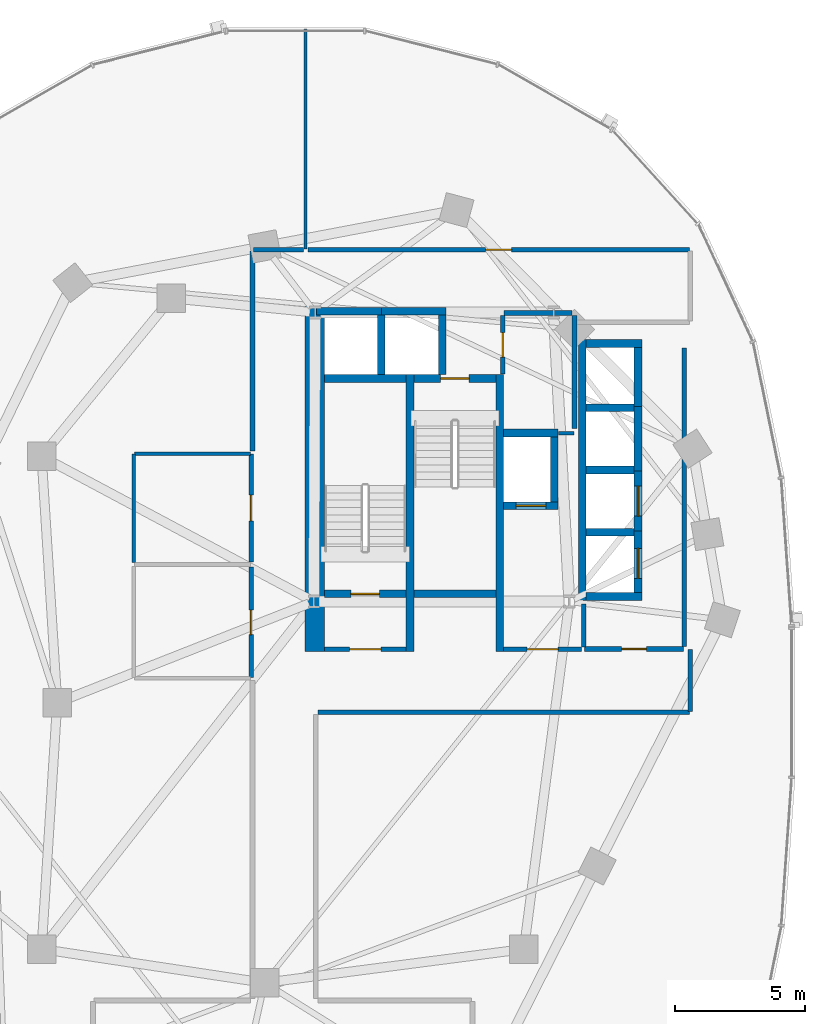
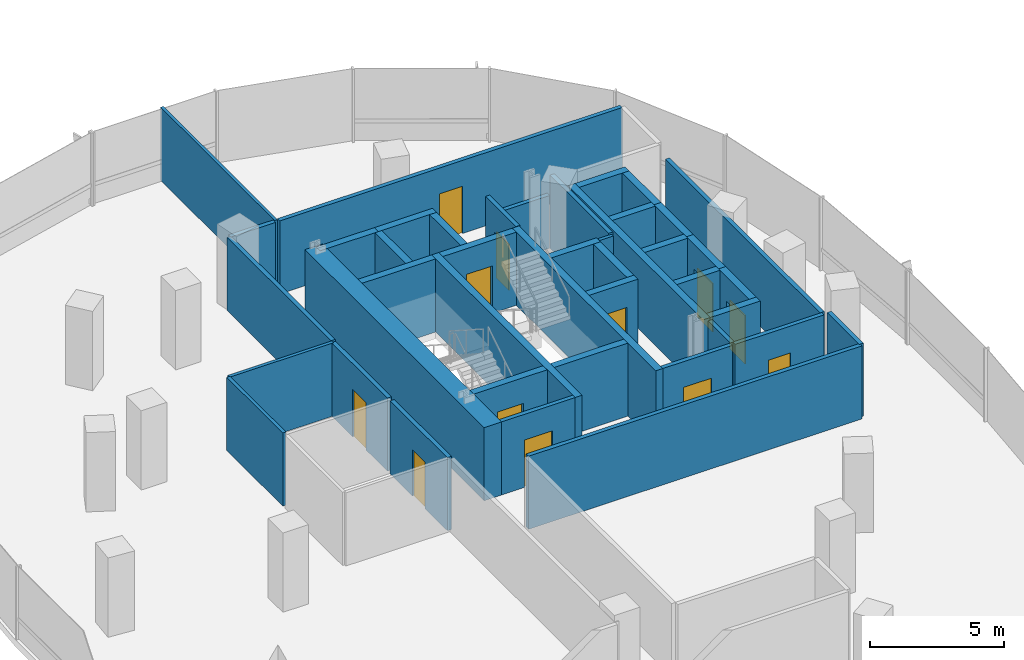
# One storey, part 11 of 20: 43 walls, 12 doors, 12 openings.
"""IFC4 building model written with IfcOpenShell, lengths in metres."""

from ifc_helpers import new_model, si_unit, direction, frame, frame_2d, origin, place, context, subcontext, project, spatial, rectangle, extrude, material, layer, layer_set, type_object, element, fill, save


model = new_model("IFC4")

# Units and contexts
model_context = context("Model", 3, precision=1e-05, world=origin(), true_north=direction((0.0, 1.0)))
body_context = subcontext(model_context, "Body", "Model", "MODEL_VIEW")
ifc_project = project(units=[si_unit("LENGTHUNIT", "METRE"), si_unit("AREAUNIT", "SQUARE_METRE"), si_unit("VOLUMEUNIT", "CUBIC_METRE"), si_unit("PLANEANGLEUNIT", "RADIAN"), si_unit("MASSUNIT", "GRAM", prefix="KILO"), si_unit("THERMODYNAMICTEMPERATUREUNIT", "KELVIN"), si_unit("POWERUNIT", "WATT")], contexts=[model_context])

# Site, building, storey
site_placement = place(None, origin())
site = spatial("IfcSite", under=ifc_project, at=site_placement, CompositionType="ELEMENT")
building_placement = place(site_placement, origin())
building = spatial("IfcBuilding", under=site, at=building_placement, Name="Cundina Bronze Exchange", CompositionType="ELEMENT")
storey_placement = place(building_placement, frame((0.0, 0.0, 128.60009765625)))
storey = spatial("IfcBuildingStorey", under=building, at=storey_placement, Name="L33", CompositionType="ELEMENT", Elevation=128.60009765625)

# Wall
ifc_material_1 = material(Name="Gypsum Fireboard Partition EI120")
ifc_layer_1 = layer(ifc_material_1, 0.179931640625, Name="Gypsum Fireboard Partition EI120")
ifc_layer_set_1 = layer_set([ifc_layer_1], Name="Gypsum Fireboard Partition EI120")
wall_type_1 = type_object("IfcWallType", Name="WL-COR-180", PredefinedType="PARTITIONING", material=ifc_layer_set_1)
wall_1_placement = place(storey_placement, frame((-20.889892578125, 2.14990234375, 0.0), z_axis=(0.0, 0.0, 1.0), x_axis=(0.0, 1.0, 0.0)))
element("IfcWall", 1, at=wall_1_placement, inside=storey, type_object=wall_type_1, Name="L33 W Firefighting Lobby Side Wall", PredefinedType="PARTITIONING", context=body_context, shape_type="SweptSolid", body=[
    extrude(rectangle(XDim=1.650146484375, YDim=0.179931640625, at=frame_2d((0.8251953125, 0.0))), origin(), (0.0, 0.0, 1.0), 3.31982421875),
])

# Wall, opening, door
wall_2_placement = place(storey_placement, frame((-23.97998046875, 2.06005859375, 0.0), z_axis=(0.0, 0.0, 1.0), x_axis=(1.0, 0.0, 0.0)))
wall_2 = element("IfcWall", 2, at=wall_2_placement, inside=storey, type_object=wall_type_1, Name="L33 W Firefighting Lobby Exit Wall", PredefinedType="PARTITIONING", context=body_context, shape_type="SweptSolid", body=[
    extrude(rectangle(XDim=3.0, YDim=0.179931640625, at=frame_2d((1.5, 0.0))), origin(), (0.0, 0.0, 1.0), 3.31982421875),
])
opening_1_placement = place(wall_2_placement, frame((0.89990234375, 0.0, 0.0)))
opening_1 = element("IfcOpeningElement", 3, at=opening_1_placement, cuts=wall_2, Name="Opening DF-01", PredefinedType="OPENING", context=body_context, shape_type="SweptSolid", body=[
    extrude(rectangle(XDim=1.199951171875, YDim=2.14990234375, at=frame_2d((0.60009765625, 1.074951171875))), frame((0.0, 0.099853515625, 0.0), z_axis=(0.0, -1.0, 0.0), x_axis=(1.0, 0.0, 0.0)), (0.0, 0.0, 1.0), 0.199951171875),
])
ifc_material_2 = material(Name="Steel ASTM A36 Painted", Category="steel")
door_type_1 = type_object("IfcDoorType", Name="DR-FFL-1200", OperationType="NOTDEFINED", PredefinedType="DOOR", material=ifc_material_2)
door_1_placement = place(opening_1_placement, origin())
door_1 = element("IfcDoor", 4, at=door_1_placement, inside=storey, type_object=door_type_1, Name="L33 W Firefighting Lobby Door", OperationType="SINGLE_SWING_RIGHT", OverallHeight=2.14990234375, OverallWidth=1.199951171875, PredefinedType="DOOR", context=body_context, shape_type="SweptSolid", body=[
    extrude(rectangle(XDim=1.199951171875, YDim=2.14990234375, at=frame_2d((0.60009765625, 1.074951171875))), frame((0.0, 0.02490234375, 0.0), z_axis=(0.0, -1.0, 0.0), x_axis=(1.0, 0.0, 0.0)), (0.0, 0.0, 1.0), 0.050048828125),
])
fill(opening_1, door_1)

wall_3_placement = place(storey_placement, frame((-30.89990234375, 2.06005859375, 0.0), z_axis=(0.0, 0.0, 1.0), x_axis=(1.0, 0.0, 0.0)))
wall_3 = element("IfcWall", 5, at=wall_3_placement, inside=storey, type_object=wall_type_1, Name="L33 W Stair Vestibule Exit Wall", PredefinedType="PARTITIONING", context=body_context, shape_type="SweptSolid", body=[
    extrude(rectangle(XDim=3.159912109375, YDim=0.179931640625, at=frame_2d((1.580078125, 0.0))), origin(), (0.0, 0.0, 1.0), 3.31982421875),
])
opening_2_placement = place(wall_3_placement, frame((0.97998046875, 0.0, 0.0)))
opening_2 = element("IfcOpeningElement", 6, at=opening_2_placement, cuts=wall_3, Name="Opening DF-01", PredefinedType="OPENING", context=body_context, shape_type="SweptSolid", body=[
    extrude(rectangle(XDim=1.199951171875, YDim=2.14990234375, at=frame_2d((0.60009765625, 1.074951171875))), frame((0.0, 0.099853515625, 0.0), z_axis=(0.0, -1.0, 0.0), x_axis=(1.0, 0.0, 0.0)), (0.0, 0.0, 1.0), 0.199951171875),
])
door_2_placement = place(opening_2_placement, origin())
door_2 = element("IfcDoor", 7, at=door_2_placement, inside=storey, type_object=door_type_1, Name="L33 W Stair Vestibule Door", OperationType="SINGLE_SWING_LEFT", OverallHeight=2.14990234375, OverallWidth=1.199951171875, PredefinedType="DOOR", context=body_context, shape_type="SweptSolid", body=[
    extrude(rectangle(XDim=1.199951171875, YDim=2.14990234375, at=frame_2d((0.60009765625, 1.074951171875))), frame((0.0, 0.02490234375, 0.0), z_axis=(0.0, -1.0, 0.0), x_axis=(1.0, 0.0, 0.0)), (0.0, 0.0, 1.0), 0.050048828125),
])
fill(opening_2, door_2)

# Wall
wall_4_placement = place(storey_placement, frame((-17.02001953125, 2.169921875, 0.0), z_axis=(0.0, 0.0, 1.0), x_axis=(0.0, 1.0, 0.0)))
element("IfcWall", 8, at=wall_4_placement, inside=storey, type_object=wall_type_1, Name="L33 Interior Partition 001", PredefinedType="PARTITIONING", context=body_context, shape_type="SweptSolid", body=[
    extrude(rectangle(XDim=11.510009765625, YDim=0.179931640625, at=frame_2d((5.7548828125, 0.0))), origin(), (0.0, 0.0, 1.0), 3.31982421875),
])

# Wall, opening, door
wall_5_placement = place(storey_placement, frame((-20.8701171875, 2.070068359375, 0.0), z_axis=(0.0, 0.0, 1.0), x_axis=(1.0, 0.0, 0.0)))
wall_5 = element("IfcWall", 9, at=wall_5_placement, inside=storey, type_object=wall_type_1, Name="L33 Interior Partition 002", PredefinedType="PARTITIONING", context=body_context, shape_type="SweptSolid", body=[
    extrude(rectangle(XDim=3.830078125, YDim=0.179931640625, at=frame_2d((1.9150390625, 0.0))), origin(), (0.0, 0.0, 1.0), 3.31982421875),
])
opening_3_placement = place(wall_5_placement, frame((1.43994140625, 0.0, 0.0)))
opening_3 = element("IfcOpeningElement", 10, at=opening_3_placement, cuts=wall_5, Name="Opening DW-01", PredefinedType="OPENING", context=body_context, shape_type="SweptSolid", body=[
    extrude(rectangle(XDim=0.949951171875, YDim=2.10009765625, at=frame_2d((0.47509765625, 1.050048828125))), frame((0.0, 0.099853515625, 0.0), z_axis=(0.0, -1.0, 0.0), x_axis=(1.0, 0.0, 0.0)), (0.0, 0.0, 1.0), 0.199951171875),
])
ifc_material_3 = material(Name="Solid Andean Oak Timber Grade A", Category="wood")
door_type_2 = type_object("IfcDoorType", Name="DR-WC-950", OperationType="NOTDEFINED", PredefinedType="DOOR", material=ifc_material_3)
door_3_placement = place(opening_3_placement, origin())
door_3 = element("IfcDoor", 11, at=door_3_placement, inside=storey, type_object=door_type_2, Name="L33 Interior Door 002", OperationType="SINGLE_SWING_LEFT", OverallHeight=2.10009765625, OverallWidth=0.949951171875, PredefinedType="DOOR", context=body_context, shape_type="SweptSolid", body=[
    extrude(rectangle(XDim=0.949951171875, YDim=2.10009765625, at=frame_2d((0.47509765625, 1.050048828125))), frame((0.0, 0.02490234375, 0.0), z_axis=(0.0, -1.0, 0.0), x_axis=(1.0, 0.0, 0.0)), (0.0, 0.0, 1.0), 0.050048828125),
])
fill(opening_3, door_3)

# Walls
wall_6_placement = place(storey_placement, frame((-21.25, 10.570068359375, 0.0), z_axis=(0.0, 0.0, 1.0), x_axis=(0.0, 1.0, 0.0)))
element("IfcWall", 12, at=wall_6_placement, inside=storey, type_object=wall_type_1, Name="L33 Interior Partition 004", PredefinedType="PARTITIONING", context=body_context, shape_type="SweptSolid", body=[
    extrude(rectangle(XDim=4.35986328125, YDim=0.179931640625, at=frame_2d((2.179931640625, 0.0))), origin(), (0.0, 0.0, 1.0), 3.31982421875),
])
wall_7_placement = place(storey_placement, frame((-23.9599609375, 15.030029296875, 0.0), z_axis=(0.0, 0.0, 1.0), x_axis=(1.0, 0.0, 0.0)))
element("IfcWall", 13, at=wall_7_placement, inside=storey, type_object=wall_type_1, Name="L33 Interior Partition 005", PredefinedType="PARTITIONING", context=body_context, shape_type="SweptSolid", body=[
    extrude(rectangle(XDim=2.60986328125, YDim=0.179931640625, at=frame_2d((1.304931640625, 0.0))), origin(), (0.0, 0.0, 1.0), 2.392822265625),
])

# Wall, opening, door
wall_8_placement = place(storey_placement, frame((-24.02001953125, 12.669921875, 0.0), z_axis=(0.0, 0.0, 1.0), x_axis=(0.0, 1.0, 0.0)))
wall_8 = element("IfcWall", 14, at=wall_8_placement, inside=storey, type_object=wall_type_1, Name="L33 Interior Partition 006", PredefinedType="PARTITIONING", context=body_context, shape_type="SweptSolid", body=[
    extrude(rectangle(XDim=2.260009765625, YDim=0.179931640625, at=frame_2d((1.1298828125, 0.0))), origin(), (0.0, 0.0, 1.0), 3.31982421875),
])
opening_4_placement = place(wall_8_placement, frame((0.655029296875, 0.0, 0.0)))
opening_4 = element("IfcOpeningElement", 15, at=opening_4_placement, cuts=wall_8, Name="Opening DW-01", PredefinedType="OPENING", context=body_context, shape_type="SweptSolid", body=[
    extrude(rectangle(XDim=0.949951171875, YDim=2.10009765625, at=frame_2d((0.47509765625, 1.050048828125))), frame((0.0, 0.099853515625, 0.0), z_axis=(0.0, -1.0, 0.0), x_axis=(1.0, 0.0, 0.0)), (0.0, 0.0, 1.0), 0.199951171875),
])
door_4_placement = place(opening_4_placement, origin())
door_4 = element("IfcDoor", 16, at=door_4_placement, inside=storey, type_object=door_type_2, Name="L33 Interior Door 006", OperationType="SINGLE_SWING_LEFT", OverallHeight=2.10009765625, OverallWidth=0.949951171875, PredefinedType="DOOR", context=body_context, shape_type="SweptSolid", body=[
    extrude(rectangle(XDim=0.949951171875, YDim=2.10009765625, at=frame_2d((0.47509765625, 1.050048828125))), frame((0.0, 0.02490234375, 0.0), z_axis=(0.0, -1.0, 0.0), x_axis=(1.0, 0.0, 0.0)), (0.0, 0.0, 1.0), 0.050048828125),
])
fill(opening_4, door_4)

wall_9_placement = place(storey_placement, frame((-33.719970703125, 0.969970703125, 0.0), z_axis=(0.0, 0.0, 1.0), x_axis=(0.0, 1.0, 0.0)))
wall_9 = element("IfcWall", 17, at=wall_9_placement, inside=storey, type_object=wall_type_1, Name="L33 Interior Partition 012", PredefinedType="PARTITIONING", context=body_context, shape_type="SweptSolid", body=[
    extrude(rectangle(XDim=4.260009765625, YDim=0.179931640625, at=frame_2d((2.1298828125, 0.0))), origin(), (0.0, 0.0, 1.0), 3.31982421875),
])
opening_5_placement = place(wall_9_placement, frame((1.655029296875, 0.0, 0.0)))
opening_5 = element("IfcOpeningElement", 18, at=opening_5_placement, cuts=wall_9, Name="Opening DW-01", PredefinedType="OPENING", context=body_context, shape_type="SweptSolid", body=[
    extrude(rectangle(XDim=0.949951171875, YDim=2.10009765625, at=frame_2d((0.47509765625, 1.050048828125))), frame((0.0, 0.099853515625, 0.0), z_axis=(0.0, -1.0, 0.0), x_axis=(1.0, 0.0, 0.0)), (0.0, 0.0, 1.0), 0.199951171875),
])
door_5_placement = place(opening_5_placement, origin())
door_5 = element("IfcDoor", 19, at=door_5_placement, inside=storey, type_object=door_type_2, Name="L33 Interior Door 012", OperationType="SINGLE_SWING_LEFT", OverallHeight=2.10009765625, OverallWidth=0.949951171875, PredefinedType="DOOR", context=body_context, shape_type="SweptSolid", body=[
    extrude(rectangle(XDim=0.949951171875, YDim=2.10009765625, at=frame_2d((0.47509765625, 1.050048828125))), frame((0.0, 0.02490234375, 0.0), z_axis=(0.0, -1.0, 0.0), x_axis=(1.0, 0.0, 0.0)), (0.0, 0.0, 1.0), 0.050048828125),
])
fill(opening_5, door_5)

wall_10_placement = place(storey_placement, frame((-33.719970703125, 5.429931640625, 0.0), z_axis=(0.0, 0.0, 1.0), x_axis=(0.0, 1.0, 0.0)))
wall_10 = element("IfcWall", 20, at=wall_10_placement, inside=storey, type_object=wall_type_1, Name="L33 Interior Partition 013", PredefinedType="PARTITIONING", context=body_context, shape_type="SweptSolid", body=[
    extrude(rectangle(XDim=4.16015625, YDim=0.179931640625, at=frame_2d((2.080078125, 0.0))), origin(), (0.0, 0.0, 1.0), 3.31982421875),
])
opening_6_placement = place(wall_10_placement, frame((1.580078125, 0.0, 0.0)))
opening_6 = element("IfcOpeningElement", 21, at=opening_6_placement, cuts=wall_10, Name="Opening DO-01", PredefinedType="OPENING", context=body_context, shape_type="SweptSolid", body=[
    extrude(rectangle(XDim=1.0, YDim=2.14990234375, at=frame_2d((0.5, 1.074951171875))), frame((0.0, 0.099853515625, 0.0), z_axis=(0.0, -1.0, 0.0), x_axis=(1.0, 0.0, 0.0)), (0.0, 0.0, 1.0), 0.199951171875),
])
door_type_3 = type_object("IfcDoorType", Name="DR-OFF-1000", OperationType="NOTDEFINED", PredefinedType="DOOR", material=ifc_material_3)
door_6_placement = place(opening_6_placement, origin())
door_6 = element("IfcDoor", 22, at=door_6_placement, inside=storey, type_object=door_type_3, Name="L33 Interior Door 013", OperationType="SINGLE_SWING_LEFT", OverallHeight=2.14990234375, OverallWidth=1.0, PredefinedType="DOOR", context=body_context, shape_type="SweptSolid", body=[
    extrude(rectangle(XDim=1.0, YDim=2.14990234375, at=frame_2d((0.5, 1.074951171875))), frame((0.0, 0.02490234375, 0.0), z_axis=(0.0, -1.0, 0.0), x_axis=(1.0, 0.0, 0.0)), (0.0, 0.0, 1.0), 0.050048828125),
])
fill(opening_6, door_6)

wall_11_placement = place(storey_placement, frame((-16.821533203125, 17.469970703125, 0.0), z_axis=(0.0, 0.0, 1.0), x_axis=(-1.0, 0.0, 0.0)))
wall_11 = element("IfcWall", 23, at=wall_11_placement, inside=storey, type_object=wall_type_1, Name="L33 Interior Partition 015", PredefinedType="PARTITIONING", context=body_context, shape_type="SweptSolid", body=[
    extrude(rectangle(XDim=14.70849609375, YDim=0.179931640625, at=frame_2d((7.354248046875, 0.0))), origin(), (0.0, 0.0, 1.0), 3.31982421875),
])
opening_7_placement = place(wall_11_placement, frame((6.854248046875, 0.0, 0.0)))
opening_7 = element("IfcOpeningElement", 24, at=opening_7_placement, cuts=wall_11, Name="Opening DO-01", PredefinedType="OPENING", context=body_context, shape_type="SweptSolid", body=[
    extrude(rectangle(XDim=1.0, YDim=2.14990234375, at=frame_2d((0.5, 1.074951171875))), frame((0.0, 0.099853515625, 0.0), z_axis=(0.0, -1.0, 0.0), x_axis=(1.0, 0.0, 0.0)), (0.0, 0.0, 1.0), 0.199951171875),
])
door_7_placement = place(opening_7_placement, origin())
door_7 = element("IfcDoor", 25, at=door_7_placement, inside=storey, type_object=door_type_3, Name="L33 Interior Door 015", OperationType="SINGLE_SWING_LEFT", OverallHeight=2.14990234375, OverallWidth=1.0, PredefinedType="DOOR", context=body_context, shape_type="SweptSolid", body=[
    extrude(rectangle(XDim=1.0, YDim=2.14990234375, at=frame_2d((0.5, 1.074951171875))), frame((0.0, 0.02490234375, 0.0), z_axis=(0.0, -1.0, 0.0), x_axis=(1.0, 0.0, 0.0)), (0.0, 0.0, 1.0), 0.050048828125),
])
fill(opening_7, door_7)

# Walls
wall_12_placement = place(storey_placement, frame((-31.14990234375, -0.3701171875, 0.0), z_axis=(0.0, 0.0, 1.0), x_axis=(1.0, 0.0, 0.0)))
element("IfcWall", 26, at=wall_12_placement, inside=storey, type_object=wall_type_1, Name="L33 Interior Partition 017", PredefinedType="PARTITIONING", context=body_context, shape_type="SweptSolid", body=[
    extrude(rectangle(XDim=14.328369140625, YDim=0.179931640625, at=frame_2d((7.1640625, 0.0))), origin(), (0.0, 0.0, 1.0), 3.31982421875),
])
wall_13_placement = place(storey_placement, frame((-33.669921875, 17.428466796875, 0.0), z_axis=(0.0, 0.0, 1.0), x_axis=(0.0, -1.0, 0.0)))
element("IfcWall", 27, at=wall_13_placement, inside=storey, type_object=wall_type_1, Name="L33 Interior Partition 020", PredefinedType="PARTITIONING", context=body_context, shape_type="SweptSolid", body=[
    extrude(rectangle(XDim=7.72705078125, YDim=0.179931640625, at=frame_2d((3.863525390625, 0.0))), origin(), (0.0, 0.0, 1.0), 3.31982421875),
])
wall_14_placement = place(storey_placement, frame((-16.780029296875, -0.32861328125, 0.0), z_axis=(0.0, 0.0, 1.0), x_axis=(0.0, 1.0, 0.0)))
element("IfcWall", 28, at=wall_14_placement, inside=storey, type_object=wall_type_1, Name="L33 Interior Partition 025", PredefinedType="PARTITIONING", context=body_context, shape_type="SweptSolid", body=[
    extrude(rectangle(XDim=2.38720703125, YDim=0.179931640625, at=frame_2d((1.193603515625, 0.0))), origin(), (0.0, 0.0, 1.0), 3.31982421875),
])
wall_15_placement = place(storey_placement, frame((-31.7099609375, 17.469970703125, 0.0), z_axis=(0.0, 0.0, 1.0), x_axis=(-1.0, 0.0, 0.0)))
element("IfcWall", 29, at=wall_15_placement, inside=storey, type_object=wall_type_1, Name="L33 Interior Partition 028", PredefinedType="PARTITIONING", context=body_context, shape_type="SweptSolid", body=[
    extrude(rectangle(XDim=1.91845703125, YDim=0.179931640625, at=frame_2d((0.959228515625, 0.0))), origin(), (0.0, 0.0, 1.0), 3.31982421875),
])
ifc_material_4 = material(Name="Concrete C60/75", Category="concrete")
ifc_layer_2 = layer(ifc_material_4, 0.75, Name="Concrete C60/75", Category="concrete")
ifc_layer_set_2 = layer_set([ifc_layer_2], Name="Concrete C60/75")
wall_type_2 = type_object("IfcWallType", Name="WL-CORE-750", PredefinedType="SHEAR", material=ifc_layer_set_2)
wall_16_placement = place(storey_placement, frame((-31.27490234375, 1.969970703125, 0.0), z_axis=(0.0, 0.0, 1.0), x_axis=(0.0, 1.0, 0.0)))
element("IfcWall", 30, at=wall_16_placement, inside=storey, type_object=wall_type_2, Name="L33 W Primary Core Shear Spine Wall", PredefinedType="SHEAR", context=body_context, shape_type="SweptSolid", body=[
    extrude(rectangle(XDim=13.330078125, YDim=0.75, at=frame_2d((6.6650390625, 0.0))), origin(), (0.0, 0.0, 1.0), 3.31982421875),
])
ifc_material_5 = material(Name="Gypsum Acoustic Partition EI60")
ifc_layer_3 = layer(ifc_material_5, 0.125, Name="Gypsum Acoustic Partition EI60")
ifc_layer_set_3 = layer_set([ifc_layer_3], Name="Gypsum Acoustic Partition EI60")
wall_type_3 = type_object("IfcWallType", Name="WL-OFF-125", PredefinedType="PARTITIONING", material=ifc_layer_set_3)
wall_17_placement = place(storey_placement, frame((-31.6201171875, 17.5, 0.0), z_axis=(0.0, 0.0, 1.0), x_axis=(0.0, 1.0, 0.0)))
element("IfcWall", 31, at=wall_17_placement, inside=storey, type_object=wall_type_3, Name="L33 Interior Partition 014", PredefinedType="PARTITIONING", context=body_context, shape_type="SweptSolid", body=[
    extrude(rectangle(XDim=8.485107421875, YDim=0.125, at=frame_2d((4.24267578125, 0.0))), origin(), (0.0, 0.0, 1.0), 3.31982421875),
])
ifc_material_6 = material(Name="Concrete C50/60", Category="concrete")
ifc_layer_4 = layer(ifc_material_6, 0.300048828125, Name="Concrete C50/60", Category="concrete")
ifc_layer_set_4 = layer_set([ifc_layer_4], Name="Concrete C50/60")
wall_type_4 = type_object("IfcWallType", Name="WL-SHFT-300", PredefinedType="SHEAR", material=ifc_layer_set_4)
for number, where, z_axis, x_axis, name in (
    (32, (-27.590087890625, 1.969970703125, 0.0), (0.0, 0.0, 1.0), (0.0, 1.0, 0.0), "L33 W Stair Shaft Dividing Shear Wall"),
    (33, (-24.1298828125, 1.969970703125, 0.0), (0.0, 0.0, 1.0), (0.0, 1.0, 0.0), "L33 W Stair 2 East Shear Wall"),
):
    element("IfcWall", number, at=place(storey_placement, frame(where, z_axis=z_axis, x_axis=x_axis)), inside=storey, type_object=wall_type_4, Name=name, PredefinedType="SHEAR", context=body_context, shape_type="SweptSolid", body=[
        extrude(rectangle(XDim=10.679931640625, YDim=0.300048828125, at=frame_2d((5.33984375, 0.0))), origin(), (0.0, 0.0, 1.0), 3.31982421875),
    ])

# Wall, opening, door
wall_18_placement = place(storey_placement, frame((-30.89990234375, 4.199951171875, 0.0), z_axis=(0.0, 0.0, 1.0), x_axis=(1.0, 0.0, 0.0)))
wall_18 = element("IfcWall", 34, at=wall_18_placement, inside=storey, type_object=wall_type_4, Name="L33 Stair W1 Landing Wall", PredefinedType="SHEAR", context=body_context, shape_type="SweptSolid", body=[
    extrude(rectangle(XDim=3.159912109375, YDim=0.300048828125, at=frame_2d((1.580078125, 0.0))), origin(), (0.0, 0.0, 1.0), 3.31982421875),
])
opening_8_placement = place(wall_18_placement, frame((1.030029296875, 0.0, 0.0)))
opening_8 = element("IfcOpeningElement", 35, at=opening_8_placement, cuts=wall_18, Name="Opening DS-01", PredefinedType="OPENING", context=body_context, shape_type="SweptSolid", body=[
    extrude(rectangle(XDim=1.10009765625, YDim=2.14990234375, at=frame_2d((0.550048828125, 1.074951171875))), frame((0.0, 0.159912109375, 0.0), z_axis=(0.0, -1.0, 0.0), x_axis=(1.0, 0.0, 0.0)), (0.0, 0.0, 1.0), 0.320068359375),
])
door_type_4 = type_object("IfcDoorType", Name="DR-STR-1100", OperationType="NOTDEFINED", PredefinedType="DOOR", material=ifc_material_2)
door_8_placement = place(opening_8_placement, origin())
door_8 = element("IfcDoor", 36, at=door_8_placement, inside=storey, type_object=door_type_4, Name="L33 Smokeproof Stair W1 Door", OperationType="SINGLE_SWING_RIGHT", OverallHeight=2.14990234375, OverallWidth=1.10009765625, PredefinedType="DOOR", context=body_context, shape_type="SweptSolid", body=[
    extrude(rectangle(XDim=1.10009765625, YDim=2.14990234375, at=frame_2d((0.550048828125, 1.074951171875))), frame((0.0, 0.02490234375, 0.0), z_axis=(0.0, -1.0, 0.0), x_axis=(1.0, 0.0, 0.0)), (0.0, 0.0, 1.0), 0.050048828125),
])
fill(opening_8, door_8)

# Wall
wall_19_placement = place(storey_placement, frame((-30.89990234375, 12.5, 0.0), z_axis=(0.0, 0.0, 1.0), x_axis=(1.0, 0.0, 0.0)))
element("IfcWall", 37, at=wall_19_placement, inside=storey, type_object=wall_type_4, Name="L33 Stair W1 Far Shaft Wall", PredefinedType="SHEAR", context=body_context, shape_type="SweptSolid", body=[
    extrude(rectangle(XDim=3.159912109375, YDim=0.300048828125, at=frame_2d((1.580078125, 0.0))), origin(), (0.0, 0.0, 1.0), 3.31982421875),
])

# Wall, opening, door
wall_20_placement = place(storey_placement, frame((-27.43994140625, 12.5, 0.0), z_axis=(0.0, 0.0, 1.0), x_axis=(1.0, 0.0, 0.0)))
wall_20 = element("IfcWall", 38, at=wall_20_placement, inside=storey, type_object=wall_type_4, Name="L33 Stair W2 Landing Wall", PredefinedType="SHEAR", context=body_context, shape_type="SweptSolid", body=[
    extrude(rectangle(XDim=3.159912109375, YDim=0.300048828125, at=frame_2d((1.580078125, 0.0))), origin(), (0.0, 0.0, 1.0), 3.31982421875),
])
opening_9_placement = place(wall_20_placement, frame((1.030029296875, 0.0, 0.0)))
opening_9 = element("IfcOpeningElement", 39, at=opening_9_placement, cuts=wall_20, Name="Opening DS-01", PredefinedType="OPENING", context=body_context, shape_type="SweptSolid", body=[
    extrude(rectangle(XDim=1.10009765625, YDim=2.14990234375, at=frame_2d((0.550048828125, 1.074951171875))), frame((0.0, 0.159912109375, 0.0), z_axis=(0.0, -1.0, 0.0), x_axis=(1.0, 0.0, 0.0)), (0.0, 0.0, 1.0), 0.320068359375),
])
door_9_placement = place(opening_9_placement, origin())
door_9 = element("IfcDoor", 40, at=door_9_placement, inside=storey, type_object=door_type_4, Name="L33 Smokeproof Stair W2 Door", OperationType="SINGLE_SWING_LEFT", OverallHeight=2.14990234375, OverallWidth=1.10009765625, PredefinedType="DOOR", context=body_context, shape_type="SweptSolid", body=[
    extrude(rectangle(XDim=1.10009765625, YDim=2.14990234375, at=frame_2d((0.550048828125, 1.074951171875))), frame((0.0, 0.02490234375, 0.0), z_axis=(0.0, -1.0, 0.0), x_axis=(1.0, 0.0, 0.0)), (0.0, 0.0, 1.0), 0.050048828125),
])
fill(opening_9, door_9)

# Wall
wall_21_placement = place(storey_placement, frame((-27.43994140625, 4.199951171875, 0.0), z_axis=(0.0, 0.0, 1.0), x_axis=(1.0, 0.0, 0.0)))
element("IfcWall", 41, at=wall_21_placement, inside=storey, type_object=wall_type_4, Name="L33 Stair W2 Far Shaft Wall", PredefinedType="SHEAR", context=body_context, shape_type="SweptSolid", body=[
    extrude(rectangle(XDim=3.159912109375, YDim=0.300048828125, at=frame_2d((1.580078125, 0.0))), origin(), (0.0, 0.0, 1.0), 3.31982421875),
])

# Wall, opening, door
wall_22_placement = place(storey_placement, frame((-23.97998046875, 7.60009765625, 0.0), z_axis=(0.0, 0.0, 1.0), x_axis=(1.0, 0.0, 0.0)))
wall_22 = element("IfcWall", 42, at=wall_22_placement, inside=storey, type_object=wall_type_4, Name="L33 FFL-W Hoistway Front Wall", PredefinedType="SHEAR", context=body_context, shape_type="SweptSolid", body=[
    extrude(rectangle(XDim=2.10009765625, YDim=0.300048828125, at=frame_2d((1.050048828125, 0.0))), origin(), (0.0, 0.0, 1.0), 3.31982421875),
])
opening_10_placement = place(wall_22_placement, frame((0.47509765625, 0.0, 0.0)))
opening_10 = element("IfcOpeningElement", 43, at=opening_10_placement, cuts=wall_22, Name="Opening LD-01", PredefinedType="OPENING", context=body_context, shape_type="SweptSolid", body=[
    extrude(rectangle(XDim=1.14990234375, YDim=2.199951171875, at=frame_2d((0.574951171875, 1.10009765625))), frame((0.0, 0.159912109375, 0.0), z_axis=(0.0, -1.0, 0.0), x_axis=(1.0, 0.0, 0.0)), (0.0, 0.0, 1.0), 0.320068359375),
])
door_type_5 = type_object("IfcDoorType", Name="DR-LND-1150", OperationType="NOTDEFINED", PredefinedType="TRAPDOOR", material=ifc_material_2)
door_10_placement = place(opening_10_placement, origin())
door_10 = element("IfcDoor", 44, at=door_10_placement, inside=storey, type_object=door_type_5, Name="L33 FFL-W Sliding Landing Door", OperationType="SLIDING_TO_LEFT", OverallHeight=2.199951171875, OverallWidth=1.14990234375, PredefinedType="TRAPDOOR", context=body_context, shape_type="SweptSolid", body=[
    extrude(rectangle(XDim=1.14990234375, YDim=2.199951171875, at=frame_2d((0.574951171875, 1.10009765625))), frame((0.0, 0.02490234375, 0.0), z_axis=(0.0, -1.0, 0.0), x_axis=(1.0, 0.0, 0.0)), (0.0, 0.0, 1.0), 0.050048828125),
])
fill(opening_10, door_10)

# Walls
wall_23_placement = place(storey_placement, frame((-23.97998046875, 10.39990234375, 0.0), z_axis=(0.0, 0.0, 1.0), x_axis=(1.0, 0.0, 0.0)))
element("IfcWall", 45, at=wall_23_placement, inside=storey, type_object=wall_type_4, Name="L33 FFL-W Hoistway Back Wall", PredefinedType="SHEAR", context=body_context, shape_type="SweptSolid", body=[
    extrude(rectangle(XDim=2.10009765625, YDim=0.300048828125, at=frame_2d((1.050048828125, 0.0))), origin(), (0.0, 0.0, 1.0), 3.31982421875),
])
for number, where, z_axis, x_axis, name in (
    (46, (-22.030029296875, 7.75, 0.0), (0.0, 0.0, 1.0), (0.0, 1.0, 0.0), "L33 FFL-W Hoistway Side Wall"),
    (47, (-31.199951171875, 15.10009765625, 0.0), (0.0, 0.0, 1.0), (1.0, 0.0, 0.0), "L33 PH-W1 Hoistway Front Wall"),
):
    element("IfcWall", number, at=place(storey_placement, frame(where, z_axis=z_axis, x_axis=x_axis)), inside=storey, type_object=wall_type_4, Name=name, PredefinedType="SHEAR", context=body_context, shape_type="SweptSolid", body=[
        extrude(rectangle(XDim=2.5, YDim=0.300048828125, at=frame_2d((1.25, 0.0))), origin(), (0.0, 0.0, 1.0), 3.31982421875),
    ])
wall_24_placement = place(storey_placement, frame((-28.699951171875, 12.64990234375, 0.0), z_axis=(0.0, 0.0, 1.0), x_axis=(0.0, 1.0, 0.0)))
element("IfcWall", 48, at=wall_24_placement, inside=storey, type_object=wall_type_4, Name="L33 PH-W1 Hoistway Divider Wall", PredefinedType="SHEAR", context=body_context, shape_type="SweptSolid", body=[
    extrude(rectangle(XDim=2.300048828125, YDim=0.300048828125, at=frame_2d((1.14990234375, 0.0))), origin(), (0.0, 0.0, 1.0), 3.31982421875),
])
wall_25_placement = place(storey_placement, frame((-28.699951171875, 15.10009765625, 0.0), z_axis=(0.0, 0.0, 1.0), x_axis=(1.0, 0.0, 0.0)))
element("IfcWall", 49, at=wall_25_placement, inside=storey, type_object=wall_type_4, Name="L33 PH-W2 Hoistway Front Wall", PredefinedType="SHEAR", context=body_context, shape_type="SweptSolid", body=[
    extrude(rectangle(XDim=2.5, YDim=0.300048828125, at=frame_2d((1.25, 0.0))), origin(), (0.0, 0.0, 1.0), 3.31982421875),
])
wall_26_placement = place(storey_placement, frame((-26.35009765625, 12.64990234375, 0.0), z_axis=(0.0, 0.0, 1.0), x_axis=(0.0, 1.0, 0.0)))
element("IfcWall", 50, at=wall_26_placement, inside=storey, type_object=wall_type_4, Name="L33 PH-W2 Hoistway Divider Wall", PredefinedType="SHEAR", context=body_context, shape_type="SweptSolid", body=[
    extrude(rectangle(XDim=2.300048828125, YDim=0.300048828125, at=frame_2d((1.14990234375, 0.0))), origin(), (0.0, 0.0, 1.0), 3.31982421875),
])
wall_27_placement = place(storey_placement, frame((-20.949951171875, 3.949951171875, 0.0), z_axis=(0.0, 0.0, 1.0), x_axis=(0.0, 1.0, 0.0)))
element("IfcWall", 51, at=wall_27_placement, inside=storey, type_object=wall_type_4, Name="L33 W Passenger Bank Hoistway Back Wall", PredefinedType="SHEAR", context=body_context, shape_type="SweptSolid", body=[
    extrude(rectangle(XDim=10.050048828125, YDim=0.300048828125, at=frame_2d((5.02490234375, 0.0))), origin(), (0.0, 0.0, 1.0), 3.31982421875),
])
for number, where, z_axis, x_axis, name in (
    (52, (-20.800048828125, 4.10009765625, 0.0), (0.0, 0.0, 1.0), (1.0, 0.0, 0.0), "L33 W Passenger Bank South Cap Wall"),
    (53, (-20.800048828125, 13.85009765625, 0.0), (0.0, 0.0, 1.0), (1.0, 0.0, 0.0), "L33 W Passenger Bank North Cap Wall"),
):
    element("IfcWall", number, at=place(storey_placement, frame(where, z_axis=z_axis, x_axis=x_axis)), inside=storey, type_object=wall_type_4, Name=name, PredefinedType="SHEAR", context=body_context, shape_type="SweptSolid", body=[
        extrude(rectangle(XDim=2.150146484375, YDim=0.300048828125, at=frame_2d((1.0751953125, 0.0))), origin(), (0.0, 0.0, 1.0), 3.31982421875),
    ])
for number, where, z_axis, x_axis, name in (
    (54, (-20.800048828125, 6.574951171875, 0.0), (0.0, 0.0, 1.0), (1.0, 0.0, 0.0), "L33 W Passenger Hoistway Divider 1"),
    (55, (-20.800048828125, 8.97509765625, 0.0), (0.0, 0.0, 1.0), (1.0, 0.0, 0.0), "L33 W Passenger Hoistway Divider 2"),
    (56, (-20.800048828125, 11.375, 0.0), (0.0, 0.0, 1.0), (1.0, 0.0, 0.0), "L33 W Passenger Hoistway Divider 3"),
):
    element("IfcWall", number, at=place(storey_placement, frame(where, z_axis=z_axis, x_axis=x_axis)), inside=storey, type_object=wall_type_4, Name=name, PredefinedType="SHEAR", context=body_context, shape_type="SweptSolid", body=[
        extrude(rectangle(XDim=1.85009765625, YDim=0.300048828125, at=frame_2d((0.925048828125, 0.0))), origin(), (0.0, 0.0, 1.0), 3.31982421875),
    ])

# Wall, opening, door
wall_28_placement = place(storey_placement, frame((-18.800048828125, 4.1298828125, 0.0), z_axis=(0.0, 0.0, 1.0), x_axis=(0.0, 1.0, 0.0)))
wall_28 = element("IfcWall", 57, at=wall_28_placement, inside=storey, type_object=wall_type_4, Name="L33 PL-W2 Hoistway Front Wall", PredefinedType="SHEAR", context=body_context, shape_type="SweptSolid", body=[
    extrude(rectangle(XDim=2.490234375, YDim=0.300048828125, at=frame_2d((1.2451171875, 0.0))), origin(), (0.0, 0.0, 1.0), 3.31982421875),
])
opening_11_placement = place(wall_28_placement, frame((0.669921875, 0.0, 0.0)))
opening_11 = element("IfcOpeningElement", 58, at=opening_11_placement, cuts=wall_28, Name="Opening LD-01", PredefinedType="OPENING", context=body_context, shape_type="SweptSolid", body=[
    extrude(rectangle(XDim=1.14990234375, YDim=2.199951171875, at=frame_2d((0.574951171875, 1.10009765625))), frame((0.0, 0.159912109375, 0.0), z_axis=(0.0, -1.0, 0.0), x_axis=(1.0, 0.0, 0.0)), (0.0, 0.0, 1.0), 0.320068359375),
])
door_11_placement = place(opening_11_placement, origin())
door_11 = element("IfcDoor", 59, at=door_11_placement, inside=storey, type_object=door_type_5, Name="L33 PL-W2 Sliding Landing Door", OperationType="SLIDING_TO_LEFT", OverallHeight=2.199951171875, OverallWidth=1.14990234375, PredefinedType="TRAPDOOR", context=body_context, shape_type="SweptSolid", body=[
    extrude(rectangle(XDim=1.14990234375, YDim=2.199951171875, at=frame_2d((0.574951171875, 1.10009765625))), frame((0.0, 0.02490234375, 0.0), z_axis=(0.0, -1.0, 0.0), x_axis=(1.0, 0.0, 0.0)), (0.0, 0.0, 1.0), 0.050048828125),
])
fill(opening_11, door_11)

wall_29_placement = place(storey_placement, frame((-18.800048828125, 6.530029296875, 0.0), z_axis=(0.0, 0.0, 1.0), x_axis=(0.0, 1.0, 0.0)))
wall_29 = element("IfcWall", 60, at=wall_29_placement, inside=storey, type_object=wall_type_4, Name="L33 PL-W1 Hoistway Front Wall", PredefinedType="SHEAR", context=body_context, shape_type="SweptSolid", body=[
    extrude(rectangle(XDim=2.489990234375, YDim=0.300048828125, at=frame_2d((1.2451171875, 0.0))), origin(), (0.0, 0.0, 1.0), 3.31982421875),
])
opening_12_placement = place(wall_29_placement, frame((0.669921875, 0.0, 0.0)))
opening_12 = element("IfcOpeningElement", 61, at=opening_12_placement, cuts=wall_29, Name="Opening LD-01", PredefinedType="OPENING", context=body_context, shape_type="SweptSolid", body=[
    extrude(rectangle(XDim=1.14990234375, YDim=2.199951171875, at=frame_2d((0.574951171875, 1.10009765625))), frame((0.0, 0.159912109375, 0.0), z_axis=(0.0, -1.0, 0.0), x_axis=(1.0, 0.0, 0.0)), (0.0, 0.0, 1.0), 0.320068359375),
])
door_12_placement = place(opening_12_placement, origin())
door_12 = element("IfcDoor", 62, at=door_12_placement, inside=storey, type_object=door_type_5, Name="L33 PL-W1 Sliding Landing Door", OperationType="SLIDING_TO_LEFT", OverallHeight=2.199951171875, OverallWidth=1.14990234375, PredefinedType="TRAPDOOR", context=body_context, shape_type="SweptSolid", body=[
    extrude(rectangle(XDim=1.14990234375, YDim=2.199951171875, at=frame_2d((0.574951171875, 1.10009765625))), frame((0.0, 0.02490234375, 0.0), z_axis=(0.0, -1.0, 0.0), x_axis=(1.0, 0.0, 0.0)), (0.0, 0.0, 1.0), 0.050048828125),
])
fill(opening_12, door_12)

# Walls
for number, where, z_axis, x_axis, name in (
    (63, (-18.800048828125, 8.929931640625, 0.0), (0.0, 0.0, 1.0), (0.0, 1.0, 0.0), "L33 PM-W2 Hoistway Front Wall"),
    (64, (-18.800048828125, 11.330078125, 0.0), (0.0, 0.0, 1.0), (0.0, 1.0, 0.0), "L33 PM-W1 Hoistway Front Wall"),
):
    element("IfcWall", number, at=place(storey_placement, frame(where, z_axis=z_axis, x_axis=x_axis)), inside=storey, type_object=wall_type_4, Name=name, PredefinedType="SHEAR", context=body_context, shape_type="SweptSolid", body=[
        extrude(rectangle(XDim=2.489990234375, YDim=0.300048828125, at=frame_2d((1.2451171875, 0.0))), origin(), (0.0, 0.0, 1.0), 3.31982421875),
    ])
ifc_material_7 = material(Name="Moisture-Resistant Masonry Block Grade M15", Category="masonry")
ifc_layer_5 = layer(ifc_material_7, 0.139892578125, Name="Moisture-Resistant Masonry Block Grade M15", Category="masonry")
ifc_layer_set_5 = layer_set([ifc_layer_5], Name="Moisture-Resistant Masonry Block Grade M15")
wall_type_5 = type_object("IfcWallType", Name="WL-WET-140", PredefinedType="PARTITIONING", material=ifc_layer_set_5)
wall_30_placement = place(storey_placement, frame((-21.860107421875, 10.39990234375, 0.0), z_axis=(0.0, 0.0, 1.0), x_axis=(1.0, 0.0, 0.0)))
element("IfcWall", 65, at=wall_30_placement, inside=storey, type_object=wall_type_5, Name="L33 Interior Partition 003", PredefinedType="PARTITIONING", context=body_context, shape_type="SweptSolid", body=[
    extrude(rectangle(XDim=0.590087890625, YDim=0.139892578125, at=frame_2d((0.294921875, 0.0))), origin(), (0.0, 0.0, 1.0), 3.31982421875),
])
wall_31_placement = place(storey_placement, frame((-38.239990234375, 5.4150390625, 0.0), z_axis=(0.0, 0.0, 1.0), x_axis=(0.0, 1.0, 0.0)))
element("IfcWall", 66, at=wall_31_placement, inside=storey, type_object=wall_type_5, Name="L33 Interior Partition 008", PredefinedType="PARTITIONING", context=body_context, shape_type="SweptSolid", body=[
    extrude(rectangle(XDim=4.175048828125, YDim=0.139892578125, at=frame_2d((2.08740234375, 0.0))), origin(), (0.0, 0.0, 1.0), 3.31982421875),
])
wall_32_placement = place(storey_placement, frame((-38.219970703125, 9.610107421875, 0.0), z_axis=(0.0, 0.0, 1.0), x_axis=(1.0, 0.0, 0.0)))
element("IfcWall", 67, at=wall_32_placement, inside=storey, type_object=wall_type_5, Name="L33 Interior Partition 011", PredefinedType="PARTITIONING", context=body_context, shape_type="SweptSolid", body=[
    extrude(rectangle(XDim=4.47998046875, YDim=0.139892578125, at=frame_2d((2.239990234375, 0.0))), origin(), (0.0, 0.0, 1.0), 3.31982421875),
])

save(model, "model.ifc")
